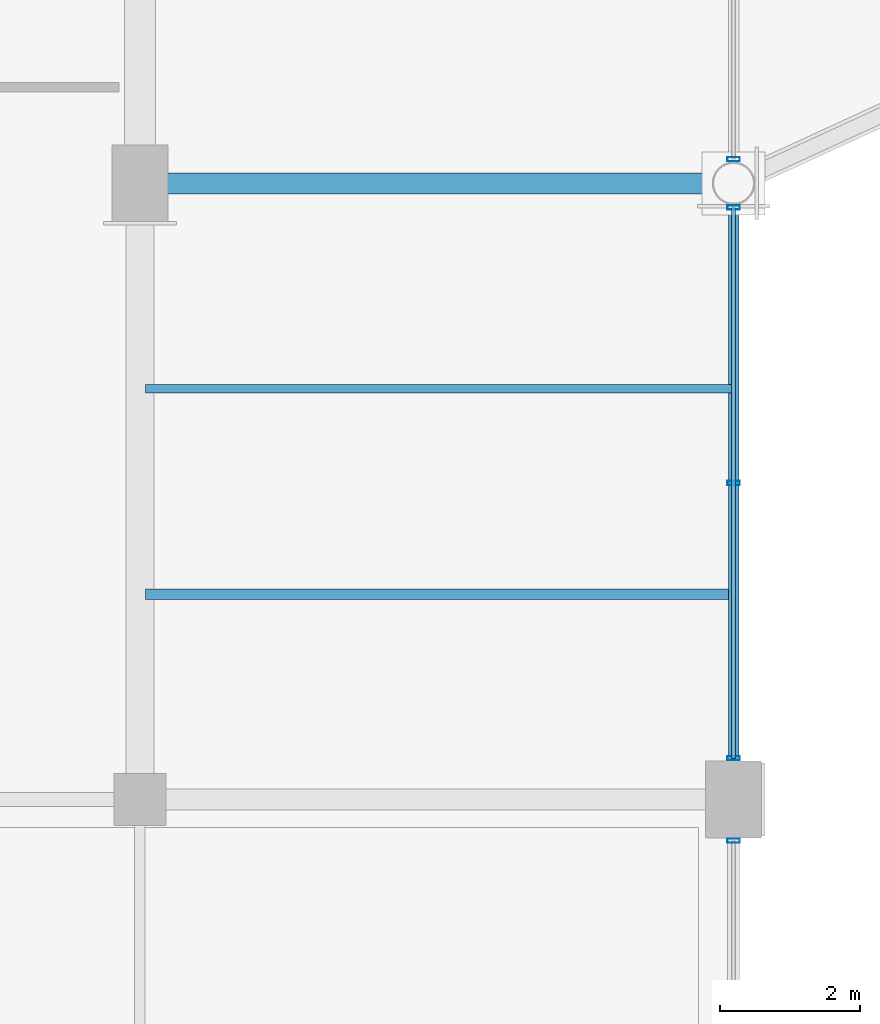
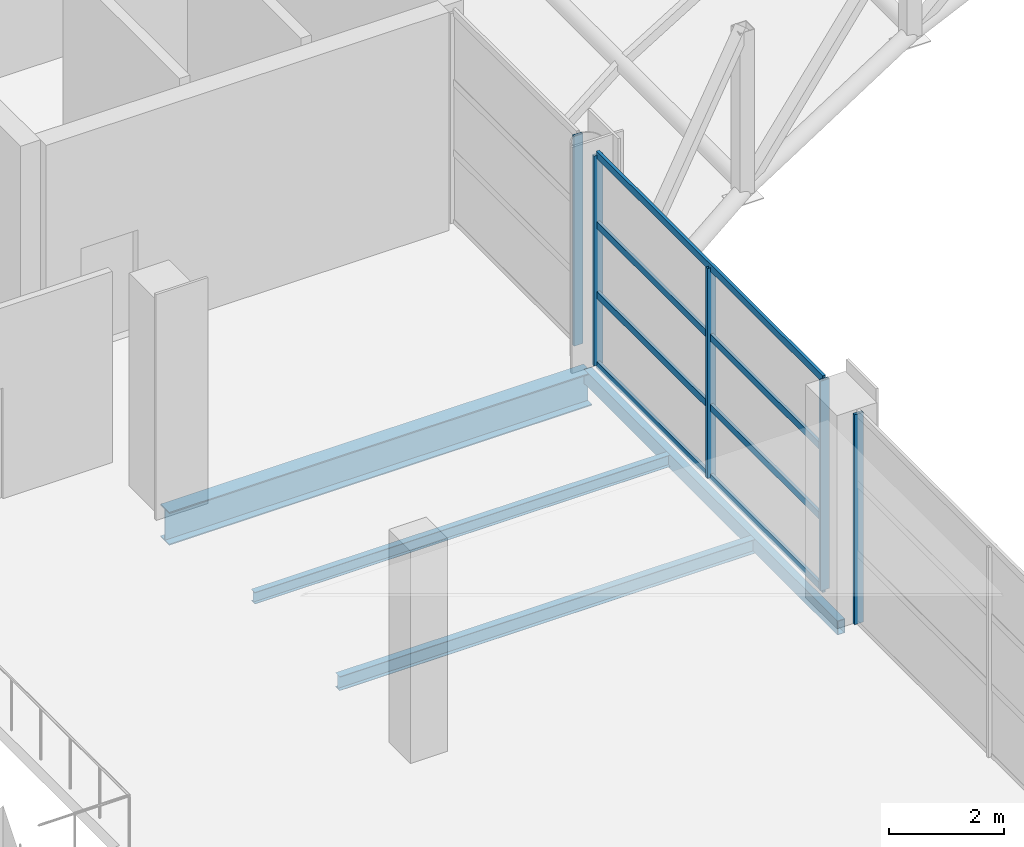
# One storey, part 25 of 101: 9 members, 4 beams, 3 elements without a shape of their own.
"""IFC4 building model written with IfcOpenShell, lengths in metres."""

from ifc_helpers import new_model, si_unit, direction, frame, origin, origin_2d, place, context, subcontext, project, spatial, hollow_rectangle, i_section, extrude, material, material_profile, profile_set, type_object, element, aggregate, save


model = new_model("IFC4")

# Units and contexts
model_context = context("Model", 3, precision=1e-05, world=origin(), true_north=direction((0.0, 1.0)))
body_context = subcontext(model_context, "Body", "Model", "MODEL_VIEW")
ifc_project = project(units=[si_unit("LENGTHUNIT", "METRE"), si_unit("AREAUNIT", "SQUARE_METRE"), si_unit("VOLUMEUNIT", "CUBIC_METRE"), si_unit("PLANEANGLEUNIT", "RADIAN"), si_unit("MASSUNIT", "GRAM", prefix="KILO")], contexts=[model_context])

# Site, building, storey
site_placement = place(None, origin())
site = spatial("IfcSite", under=ifc_project, at=site_placement, CompositionType="ELEMENT")
building_placement = place(site_placement, origin())
building = spatial("IfcBuilding", under=site, at=building_placement, Name="Solvikara Media Centre", CompositionType="ELEMENT")
storey_placement = place(building_placement, frame((0.0, 0.0, 10.199951171875)))
storey = spatial("IfcBuildingStorey", under=building, at=storey_placement, Name="L02", CompositionType="ELEMENT", Elevation=10.199951171875)

# Beams
ifc_material_1 = material(Name="Steel S355JR", Category="steel")
ifc_material_profile_1 = material_profile(ifc_material_1, i_section(OverallWidth=0.300048828125, OverallDepth=0.699951171875, WebThickness=0.012939453125, FlangeThickness=0.02392578125, at=origin_2d()), Name="WF 700x300x13x24")
ifc_profile_set_1 = profile_set([ifc_material_profile_1], Name="Steel S355JR")
beam_type_1 = type_object("IfcBeamType", Name="BM-17", PredefinedType="BEAM", material=ifc_profile_set_1)
beam_1_placement = place(storey_placement, frame((68.0, 19.320068359375, -0.6318359375), z_axis=(1.0, 0.0, 0.0), x_axis=(0.0, 1.0, 0.0)))
element("IfcBeam", 1, at=beam_1_placement, inside=storey, type_object=beam_type_1, Name="B-L02-X0842", PredefinedType="BEAM", context=body_context, shape_type="SweptSolid", body=[
    extrude(i_section(OverallWidth=0.300048828125, OverallDepth=0.699951171875, WebThickness=0.012939453125, FlangeThickness=0.02392578125, at=origin_2d()), origin(), (0.0, 0.0, 1.0), 8.5),
])
ifc_material_profile_2 = material_profile(ifc_material_1, hollow_rectangle(XDim=0.14990234375, YDim=0.300048828125, WallThickness=0.010009765625, at=origin_2d()), Name="RHS 300x150x10")
ifc_profile_set_2 = profile_set([ifc_material_profile_2], Name="Steel S355JR")
beam_type_2 = type_object("IfcBeamType", Name="BM-35", PredefinedType="BEAM", material=ifc_profile_set_2)
beam_2_placement = place(storey_placement, frame((76.5, 10.5, -0.431884765625), z_axis=(0.0, 1.0, 0.0), x_axis=(-1.0, 0.0, 0.0)))
element("IfcBeam", 2, at=beam_2_placement, inside=storey, type_object=beam_type_2, Name="B-L02-Y0971", PredefinedType="BEAM", context=body_context, shape_type="SweptSolid", body=[
    extrude(hollow_rectangle(XDim=0.14990234375, YDim=0.300048828125, WallThickness=0.010009765625, at=origin_2d()), origin(), (0.0, 0.0, 1.0), 8.823974609375),
])
ifc_material_profile_3 = material_profile(ifc_material_1, i_section(OverallWidth=0.14892578125, OverallDepth=0.298095703125, WebThickness=0.005615234375, FlangeThickness=0.008056640625, at=origin_2d()), Name="WF 298x149x5.5x8")
ifc_profile_set_3 = profile_set([ifc_material_profile_3], Name="Steel S355JR")
beam_type_3 = type_object("IfcBeamType", Name="BM-39", PredefinedType="JOIST", material=ifc_profile_set_3)
beam_3_placement = place(storey_placement, frame((68.077880859375, 13.44091796875, -0.430908203125), z_axis=(1.0, 0.0, 0.0), x_axis=(0.0, 1.0, 0.0)))
element("IfcBeam", 3, at=beam_3_placement, inside=storey, type_object=beam_type_3, Name="J-L02-1119", PredefinedType="JOIST", context=body_context, shape_type="SweptSolid", body=[
    extrude(i_section(OverallWidth=0.14892578125, OverallDepth=0.298095703125, WebThickness=0.005615234375, FlangeThickness=0.008056640625, at=origin_2d()), origin(), (0.0, 0.0, 1.0), 8.422119140625),
])
ifc_material_profile_4 = material_profile(ifc_material_1, i_section(OverallWidth=0.1240234375, OverallDepth=0.248046875, WebThickness=0.0048828125, FlangeThickness=0.008056640625, at=origin_2d()), Name="WF 248x124x5x8")
ifc_profile_set_4 = profile_set([ifc_material_profile_4], Name="Steel S355JR")
beam_type_4 = type_object("IfcBeamType", Name="BM-40", PredefinedType="JOIST", material=ifc_profile_set_4)
beam_4_placement = place(storey_placement, frame((68.077880859375, 16.383056640625, -0.406005859375), z_axis=(1.0, 0.0, 0.0), x_axis=(0.0, 1.0, 0.0)))
element("IfcBeam", 4, at=beam_4_placement, inside=storey, type_object=beam_type_4, Name="J-L02-1120", PredefinedType="JOIST", context=body_context, shape_type="SweptSolid", body=[
    extrude(i_section(OverallWidth=0.1240234375, OverallDepth=0.248046875, WebThickness=0.0048828125, FlangeThickness=0.008056640625, at=origin_2d()), origin(), (0.0, 0.0, 1.0), 8.422119140625),
])

# Curtain wall, member
ifc_material_2 = material(Name="Anodised aluminium EN AW-6063", Category="aluminium")
curtain_wall_type = type_object("IfcCurtainWallType", Name="CW-16", PredefinedType="NOTDEFINED", material=ifc_material_2)
curtain_wall_1_placement = place(storey_placement, origin())
curtain_wall_1 = element("IfcCurtainWall", 5, at=curtain_wall_1_placement, inside=storey, type_object=curtain_wall_type, Name="CW-L02-V6E-S1", PredefinedType="NOTDEFINED")
ifc_material_profile_5 = material_profile(ifc_material_2, hollow_rectangle(XDim=0.06005859375, YDim=0.179931640625, WallThickness=0.00341796875, at=origin_2d()), Name="ALU-M 60x180x3.5")
ifc_profile_set_5 = profile_set([ifc_material_profile_5], Name="Anodised aluminium EN AW-6063")
member_type_1 = type_object("IfcMemberType", Name="MF-03", PredefinedType="MULLION", material=ifc_profile_set_5)
member_1_placement = place(storey_placement, frame((76.5, 9.909912109375, 0.02001953125), z_axis=(0.0, 0.0, 1.0), x_axis=(0.0, 1.0, 0.0)))
member_1 = element("IfcMember", 6, at=member_1_placement, type_object=member_type_1, Name="CW-L02-V6E-S1-M02", PredefinedType="MULLION", context=body_context, shape_type="SweptSolid", body=[
    extrude(hollow_rectangle(XDim=0.06005859375, YDim=0.179931640625, WallThickness=0.00341796875, at=origin_2d()), origin(), (0.0, 0.0, 1.0), 4.4599609375),
])
aggregate(curtain_wall_1, [member_1])

# Curtain wall, members
curtain_wall_2_placement = place(storey_placement, origin())
curtain_wall_2 = element("IfcCurtainWall", 7, at=curtain_wall_2_placement, inside=storey, type_object=curtain_wall_type, Name="CW-L02-V6E-S2", PredefinedType="NOTDEFINED")
member_2_placement = place(storey_placement, frame((76.5, 11.090087890625, 0.02001953125), z_axis=(0.0, 0.0, 1.0), x_axis=(0.0, 1.0, 0.0)))
member_2 = element("IfcMember", 8, at=member_2_placement, type_object=member_type_1, Name="CW-L02-V6E-S2-M00", PredefinedType="MULLION", context=body_context, shape_type="SweptSolid", body=[
    extrude(hollow_rectangle(XDim=0.06005859375, YDim=0.179931640625, WallThickness=0.00341796875, at=origin_2d()), origin(), (0.0, 0.0, 1.0), 4.4599609375),
])
member_3_placement = place(storey_placement, frame((76.5, 15.033935546875, 0.02001953125), z_axis=(0.0, 0.0, 1.0), x_axis=(0.0, 1.0, 0.0)))
member_3 = element("IfcMember", 9, at=member_3_placement, type_object=member_type_1, Name="CW-L02-V6E-S2-M01", PredefinedType="MULLION", context=body_context, shape_type="SweptSolid", body=[
    extrude(hollow_rectangle(XDim=0.06005859375, YDim=0.179931640625, WallThickness=0.00341796875, at=origin_2d()), origin(), (0.0, 0.0, 1.0), 4.4599609375),
])
member_4_placement = place(storey_placement, frame((76.5, 18.97900390625, 0.02001953125), z_axis=(0.0, 0.0, 1.0), x_axis=(0.0, 1.0, 0.0)))
member_4 = element("IfcMember", 10, at=member_4_placement, type_object=member_type_1, Name="CW-L02-V6E-S2-M02", PredefinedType="MULLION", context=body_context, shape_type="SweptSolid", body=[
    extrude(hollow_rectangle(XDim=0.06005859375, YDim=0.179931640625, WallThickness=0.00341796875, at=origin_2d()), origin(), (0.0, 0.0, 1.0), 4.4599609375),
])

# Curtain wall, member
curtain_wall_3_placement = place(storey_placement, origin())
curtain_wall_3 = element("IfcCurtainWall", 11, at=curtain_wall_3_placement, inside=storey, type_object=curtain_wall_type, Name="CW-L02-V6E-S3", PredefinedType="NOTDEFINED")
member_5_placement = place(storey_placement, frame((76.5, 19.6689453125, 0.02001953125), z_axis=(0.0, 0.0, 1.0), x_axis=(0.0, 1.0, 0.0)))
member_5 = element("IfcMember", 12, at=member_5_placement, type_object=member_type_1, Name="CW-L02-V6E-S3-M00", PredefinedType="MULLION", context=body_context, shape_type="SweptSolid", body=[
    extrude(hollow_rectangle(XDim=0.06005859375, YDim=0.179931640625, WallThickness=0.00341796875, at=origin_2d()), origin(), (0.0, 0.0, 1.0), 4.4599609375),
])
aggregate(curtain_wall_3, [member_5])

# Member
ifc_material_profile_6 = material_profile(ifc_material_2, hollow_rectangle(XDim=0.06005859375, YDim=0.14990234375, WallThickness=0.0029296875, at=origin_2d()), Name="ALU-T 60x150x3")
ifc_profile_set_6 = profile_set([ifc_material_profile_6], Name="Anodised aluminium EN AW-6063")
member_type_2 = type_object("IfcMemberType", Name="MF-09", PredefinedType="USERDEFINED", material=ifc_profile_set_6)
member_6_placement = place(storey_placement, frame((76.5, 11.090087890625, 0.02001953125), z_axis=(0.0, 1.0, 0.0), x_axis=(-1.0, 0.0, 0.0)))
member_6 = element("IfcMember", 13, at=member_6_placement, type_object=member_type_2, Name="CW-L02-V6E-S2-T00", ObjectType="TRANSOM", PredefinedType="USERDEFINED", context=body_context, shape_type="SweptSolid", body=[
    extrude(hollow_rectangle(XDim=0.06005859375, YDim=0.14990234375, WallThickness=0.0029296875, at=origin_2d()), origin(), (0.0, 0.0, 1.0), 7.888916015625),
])

member_7_placement = place(storey_placement, frame((76.5, 11.090087890625, 1.507080078125), z_axis=(0.0, 1.0, 0.0), x_axis=(-1.0, 0.0, 0.0)))
member_7 = element("IfcMember", 14, at=member_7_placement, type_object=member_type_2, Name="CW-L02-V6E-S2-T01", ObjectType="TRANSOM", PredefinedType="USERDEFINED", context=body_context, shape_type="SweptSolid", body=[
    extrude(hollow_rectangle(XDim=0.06005859375, YDim=0.14990234375, WallThickness=0.0029296875, at=origin_2d()), origin(), (0.0, 0.0, 1.0), 7.888916015625),
])

member_8_placement = place(storey_placement, frame((76.5, 11.090087890625, 2.9931640625), z_axis=(0.0, 1.0, 0.0), x_axis=(-1.0, 0.0, 0.0)))
member_8 = element("IfcMember", 15, at=member_8_placement, type_object=member_type_2, Name="CW-L02-V6E-S2-T02", ObjectType="TRANSOM", PredefinedType="USERDEFINED", context=body_context, shape_type="SweptSolid", body=[
    extrude(hollow_rectangle(XDim=0.06005859375, YDim=0.14990234375, WallThickness=0.0029296875, at=origin_2d()), origin(), (0.0, 0.0, 1.0), 7.888916015625),
])

member_9_placement = place(storey_placement, frame((76.5, 11.090087890625, 4.47998046875), z_axis=(0.0, 1.0, 0.0), x_axis=(-1.0, 0.0, 0.0)))
member_9 = element("IfcMember", 16, at=member_9_placement, type_object=member_type_2, Name="CW-L02-V6E-S2-T03", ObjectType="TRANSOM", PredefinedType="USERDEFINED", context=body_context, shape_type="SweptSolid", body=[
    extrude(hollow_rectangle(XDim=0.06005859375, YDim=0.14990234375, WallThickness=0.0029296875, at=origin_2d()), origin(), (0.0, 0.0, 1.0), 7.888916015625),
])

aggregate(curtain_wall_2, [member_2, member_3, member_4, member_6, member_7, member_8, member_9])

save(model, "model.ifc")
